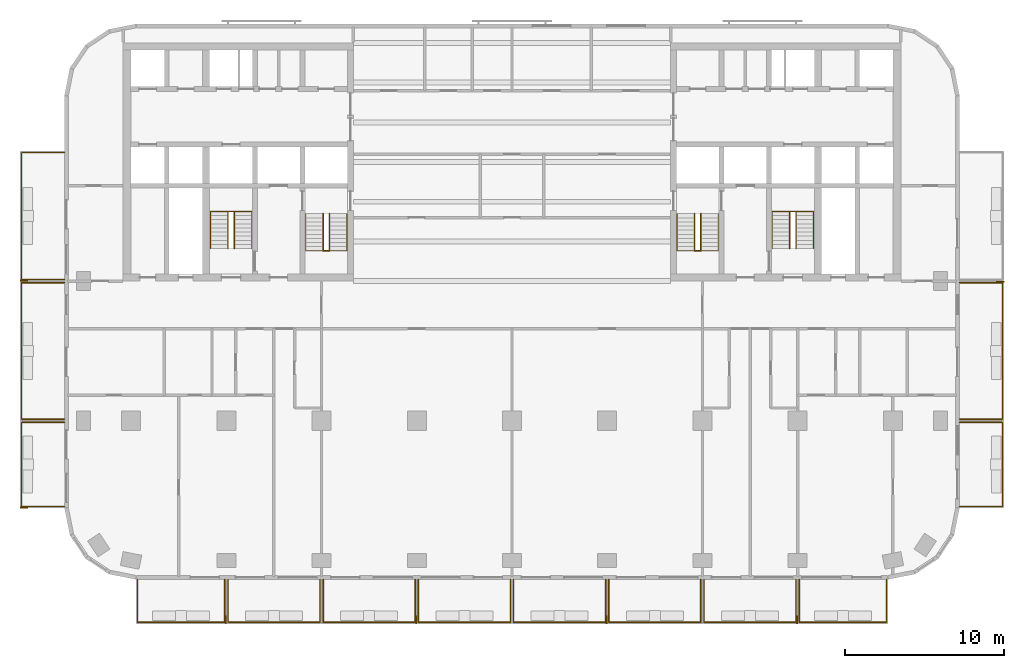
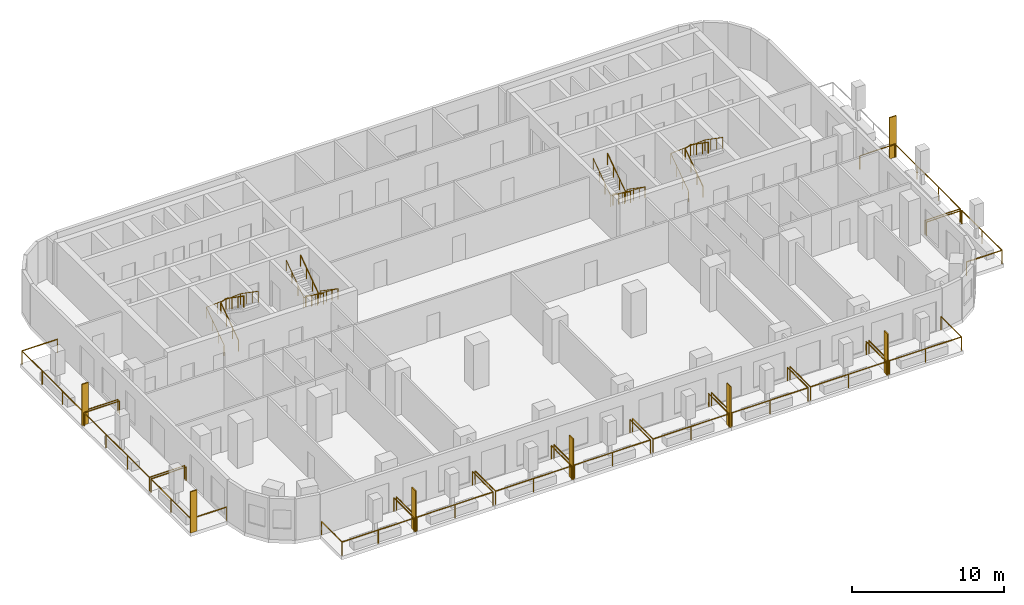
# One storey, part 9 of 11: 21 railings, 7 shading devices.
"""IFC4 building model written with IfcOpenShell, lengths in metres."""

from ifc_helpers import new_model, si_unit, direction, frame, origin, origin_2d, place, context, subcontext, project, spatial, rectangle, circle, extrude, material, layer, layer_set, type_object, element, save


model = new_model("IFC4")

# Units and contexts
model_context = context("Model", 3, precision=1e-05, world=origin(), true_north=direction((0.0, 1.0)))
body_context = subcontext(model_context, "Body", "Model", "MODEL_VIEW")
ifc_project = project(units=[si_unit("LENGTHUNIT", "METRE"), si_unit("AREAUNIT", "SQUARE_METRE"), si_unit("VOLUMEUNIT", "CUBIC_METRE"), si_unit("PLANEANGLEUNIT", "RADIAN"), si_unit("MASSUNIT", "GRAM", prefix="KILO")], contexts=[model_context])

# Site, building, storey
site_placement = place(None, origin())
site = spatial("IfcSite", under=ifc_project, at=site_placement, CompositionType="ELEMENT")
building_placement = place(site_placement, origin())
building = spatial("IfcBuilding", under=site, at=building_placement, Name="Torana Hotel and Residences", CompositionType="ELEMENT")
storey_placement = place(building_placement, frame((0.0, 0.0, 127.199951171875)))
storey = spatial("IfcBuildingStorey", under=building, at=storey_placement, Name="L32", CompositionType="ELEMENT", Elevation=127.199951171875)

# Shading devices
ifc_material_1 = material(Name="Black powder coated aluminium", Category="aluminium")
ifc_layer = layer(ifc_material_1, 0.080078125)
ifc_layer_set = layer_set([ifc_layer], Name="FN1 VERTICAL FIN 500x80")
shading_device_type = type_object("IfcShadingDeviceType", Name="FN1 VERTICAL FIN 500x80", PredefinedType="USERDEFINED", material=ifc_layer_set)
for number, where, z_axis, x_axis, name in (
    (1, (-18.0400390625, -36.35009765625, 0.0), (0.0, 0.0, 1.0), (-1.0, 0.0, 0.0), "Fin 01"),
    (2, (-6.0400390625, -36.35009765625, 0.0), (0.0, 0.0, 1.0), (-1.0, 0.0, 0.0), "Fin 03"),
    (3, (5.9599609375, -36.35009765625, 0.0), (0.0, 0.0, 1.0), (-1.0, 0.0, 0.0), "Fin 05"),
    (4, (17.9599609375, -36.35009765625, 0.0), (0.0, 0.0, 1.0), (-1.0, 0.0, 0.0), "Fin 07"),
    (5, (-30.75, -29.260009765625, 0.0), (0.0, 0.0, 1.0), (0.0, 1.0, 0.0), "Fin 09"),
    (6, (-30.75, -14.9599609375, 0.0), (0.0, 0.0, 1.0), (0.0, 1.0, 0.0), "Fin 11"),
    (7, (30.75, -15.0400390625, 0.0), (0.0, 0.0, 1.0), (0.0, -1.0, 0.0), "Fin 13"),
):
    element("IfcShadingDevice", number, at=place(storey_placement, frame(where, z_axis=z_axis, x_axis=x_axis)), inside=storey, type_object=shading_device_type, Name=name, ObjectType="FIN", PredefinedType="USERDEFINED", context=body_context, shape_type="SweptSolid", body=[
        extrude(rectangle(XDim=0.080078125, YDim=0.5, at=origin_2d()), origin(), (0.0, 0.0, 1.0), 3.320068359375),
    ])

# Railings
ifc_material_2 = material(Name="Laminated glass balustrade with black handrail", Category="glass")
railing_type_1 = type_object("IfcRailingType", Name="GR1 BALCONY GUARD 1100 GLASS", PredefinedType="GUARDRAIL", material=ifc_material_2)
railing_1_placement = place(storey_placement, frame((-18.10009765625, -33.800048828125, 0.0)))
element("IfcRailing", 8, at=railing_1_placement, inside=storey, type_object=railing_type_1, Name="Balcony guard 01", PredefinedType="GUARDRAIL", context=body_context, shape_type="SweptSolid", body=[
    extrude(circle(Radius=0.02392578125, at=origin_2d()), frame((0.0, 0.0, 1.076171875), z_axis=(0.0, -1.0, 0.0), x_axis=(1.0, 0.0, 0.0)), (0.0, 0.0, 1.0), 2.699951171875),
    extrude(circle(Radius=0.02392578125, at=origin_2d()), frame((0.0, -2.699951171875, 1.076171875), z_axis=(-1.0, 0.0, 0.0), x_axis=(0.0, -1.0, 0.0)), (0.0, 0.0, 1.0), 5.5),
    extrude(circle(Radius=0.02392578125, at=origin_2d()), frame((-5.5, -2.699951171875, 1.076171875), z_axis=(0.0, 1.0, 0.0), x_axis=(-1.0, 0.0, 0.0)), (0.0, 0.0, 1.0), 2.699951171875),
    extrude(circle(Radius=0.02099609375, at=origin_2d()), origin(), (0.0, 0.0, 1.0), 1.052001953125),
    extrude(circle(Radius=0.02099609375, at=origin_2d()), frame((0.0, -2.699951171875, 0.0)), (0.0, 0.0, 1.0), 1.052001953125),
    extrude(circle(Radius=0.02099609375, at=origin_2d()), frame((-2.75, -2.699951171875, 0.0)), (0.0, 0.0, 1.0), 1.052001953125),
    extrude(circle(Radius=0.02099609375, at=origin_2d()), frame((-5.5, -2.699951171875, 0.0)), (0.0, 0.0, 1.0), 1.052001953125),
    extrude(circle(Radius=0.02099609375, at=origin_2d()), frame((-5.5, 0.0, 0.0)), (0.0, 0.0, 1.0), 1.052001953125),
])
for number, where, name in (
    (9, (-12.10009765625, -33.800048828125, 0.0), "Balcony guard 02"),
    (10, (-6.10009765625, -33.800048828125, 0.0), "Balcony guard 03"),
    (11, (-0.10009765625, -33.800048828125, 0.0), "Balcony guard 04"),
    (12, (5.89990234375, -33.800048828125, 0.0), "Balcony guard 05"),
    (13, (11.89990234375, -33.800048828125, 0.0), "Balcony guard 06"),
    (14, (17.89990234375, -33.800048828125, 0.0), "Balcony guard 07"),
):
    element("IfcRailing", number, at=place(storey_placement, frame(where)), inside=storey, type_object=railing_type_1, Name=name, PredefinedType="GUARDRAIL", context=body_context, shape_type="SweptSolid", body=[
        extrude(circle(Radius=0.02392578125, at=origin_2d()), frame((0.0, 0.0, 1.076171875), z_axis=(0.0, -1.0, 0.0), x_axis=(1.0, 0.0, 0.0)), (0.0, 0.0, 1.0), 2.699951171875),
        extrude(circle(Radius=0.02392578125, at=origin_2d()), frame((0.0, -2.699951171875, 1.076171875), z_axis=(-1.0, 0.0, 0.0), x_axis=(0.0, -1.0, 0.0)), (0.0, 0.0, 1.0), 5.7998046875),
        extrude(circle(Radius=0.02392578125, at=origin_2d()), frame((-5.7998046875, -2.699951171875, 1.076171875), z_axis=(0.0, 1.0, 0.0), x_axis=(-1.0, 0.0, 0.0)), (0.0, 0.0, 1.0), 2.699951171875),
        extrude(circle(Radius=0.02099609375, at=origin_2d()), origin(), (0.0, 0.0, 1.0), 1.052001953125),
        extrude(circle(Radius=0.02099609375, at=origin_2d()), frame((0.0, -2.699951171875, 0.0)), (0.0, 0.0, 1.0), 1.052001953125),
        extrude(circle(Radius=0.02099609375, at=origin_2d()), frame((-2.89990234375, -2.699951171875, 0.0)), (0.0, 0.0, 1.0), 1.052001953125),
        extrude(circle(Radius=0.02099609375, at=origin_2d()), frame((-5.7998046875, -2.699951171875, 0.0)), (0.0, 0.0, 1.0), 1.052001953125),
        extrude(circle(Radius=0.02099609375, at=origin_2d()), frame((-5.7998046875, 0.0, 0.0)), (0.0, 0.0, 1.0), 1.052001953125),
    ])
railing_2_placement = place(storey_placement, frame((23.60009765625, -33.800048828125, 0.0)))
element("IfcRailing", 15, at=railing_2_placement, inside=storey, type_object=railing_type_1, Name="Balcony guard 08", PredefinedType="GUARDRAIL", context=body_context, shape_type="SweptSolid", body=[
    extrude(circle(Radius=0.02392578125, at=origin_2d()), frame((0.0, 0.0, 1.076171875), z_axis=(0.0, -1.0, 0.0), x_axis=(1.0, 0.0, 0.0)), (0.0, 0.0, 1.0), 2.699951171875),
    extrude(circle(Radius=0.02392578125, at=origin_2d()), frame((0.0, -2.699951171875, 1.076171875), z_axis=(-1.0, 0.0, 0.0), x_axis=(0.0, -1.0, 0.0)), (0.0, 0.0, 1.0), 5.5),
    extrude(circle(Radius=0.02392578125, at=origin_2d()), frame((-5.5, -2.699951171875, 1.076171875), z_axis=(0.0, 1.0, 0.0), x_axis=(-1.0, 0.0, 0.0)), (0.0, 0.0, 1.0), 2.699951171875),
    extrude(circle(Radius=0.02099609375, at=origin_2d()), origin(), (0.0, 0.0, 1.0), 1.052001953125),
    extrude(circle(Radius=0.02099609375, at=origin_2d()), frame((0.0, -2.699951171875, 0.0)), (0.0, 0.0, 1.0), 1.052001953125),
    extrude(circle(Radius=0.02099609375, at=origin_2d()), frame((-2.75, -2.699951171875, 0.0)), (0.0, 0.0, 1.0), 1.052001953125),
    extrude(circle(Radius=0.02099609375, at=origin_2d()), frame((-5.5, -2.699951171875, 0.0)), (0.0, 0.0, 1.0), 1.052001953125),
    extrude(circle(Radius=0.02099609375, at=origin_2d()), frame((-5.5, 0.0, 0.0)), (0.0, 0.0, 1.0), 1.052001953125),
])
railing_3_placement = place(storey_placement, frame((-28.199951171875, -29.199951171875, 0.0)))
element("IfcRailing", 16, at=railing_3_placement, inside=storey, type_object=railing_type_1, Name="Balcony guard 09", PredefinedType="GUARDRAIL", context=body_context, shape_type="SweptSolid", body=[
    extrude(circle(Radius=0.02392578125, at=origin_2d()), frame((0.0, 0.0, 1.076171875), z_axis=(-1.0, 0.0, 0.0), x_axis=(0.0, -1.0, 0.0)), (0.0, 0.0, 1.0), 2.699951171875),
    extrude(circle(Radius=0.02392578125, at=origin_2d()), frame((-2.699951171875, 0.0, 1.076171875), z_axis=(0.0, 1.0, 0.0), x_axis=(-1.0, 0.0, 0.0)), (0.0, 0.0, 1.0), 5.300048828125),
    extrude(circle(Radius=0.02392578125, at=origin_2d()), frame((-2.699951171875, 5.300048828125, 1.076171875), z_axis=(1.0, 0.0, 0.0), x_axis=(0.0, 1.0, 0.0)), (0.0, 0.0, 1.0), 2.699951171875),
    extrude(circle(Radius=0.02099609375, at=origin_2d()), origin(), (0.0, 0.0, 1.0), 1.052001953125),
    extrude(circle(Radius=0.02099609375, at=origin_2d()), frame((-2.699951171875, 0.0, 0.0)), (0.0, 0.0, 1.0), 1.052001953125),
    extrude(circle(Radius=0.02099609375, at=origin_2d()), frame((-2.699951171875, 2.64990234375, 0.0)), (0.0, 0.0, 1.0), 1.052001953125),
    extrude(circle(Radius=0.02099609375, at=origin_2d()), frame((-2.699951171875, 5.300048828125, 0.0)), (0.0, 0.0, 1.0), 1.052001953125),
    extrude(circle(Radius=0.02099609375, at=origin_2d()), frame((0.0, 5.300048828125, 0.0)), (0.0, 0.0, 1.0), 1.052001953125),
])
railing_4_placement = place(storey_placement, frame((-28.199951171875, -23.699951171875, 0.0)))
element("IfcRailing", 17, at=railing_4_placement, inside=storey, type_object=railing_type_1, Name="Balcony guard 10", PredefinedType="GUARDRAIL", context=body_context, shape_type="SweptSolid", body=[
    extrude(circle(Radius=0.02392578125, at=origin_2d()), frame((0.0, 0.0, 1.076171875), z_axis=(-1.0, 0.0, 0.0), x_axis=(0.0, -1.0, 0.0)), (0.0, 0.0, 1.0), 2.699951171875),
    extrude(circle(Radius=0.02392578125, at=origin_2d()), frame((-2.699951171875, 0.0, 1.076171875), z_axis=(0.0, 1.0, 0.0), x_axis=(-1.0, 0.0, 0.0)), (0.0, 0.0, 1.0), 8.599853515625),
    extrude(circle(Radius=0.02392578125, at=origin_2d()), frame((-2.699951171875, 8.599853515625, 1.076171875), z_axis=(1.0, 0.0, 0.0), x_axis=(0.0, 1.0, 0.0)), (0.0, 0.0, 1.0), 2.699951171875),
    extrude(circle(Radius=0.02099609375, at=origin_2d()), origin(), (0.0, 0.0, 1.0), 1.052001953125),
    extrude(circle(Radius=0.02099609375, at=origin_2d()), frame((-2.699951171875, 0.0, 0.0)), (0.0, 0.0, 1.0), 1.052001953125),
    extrude(circle(Radius=0.02099609375, at=origin_2d()), frame((-2.699951171875, 2.86669921875, 0.0)), (0.0, 0.0, 1.0), 1.052001953125),
    extrude(circle(Radius=0.02099609375, at=origin_2d()), frame((-2.699951171875, 5.733154296875, 0.0)), (0.0, 0.0, 1.0), 1.052001953125),
    extrude(circle(Radius=0.02099609375, at=origin_2d()), frame((-2.699951171875, 8.599853515625, 0.0)), (0.0, 0.0, 1.0), 1.052001953125),
    extrude(circle(Radius=0.02099609375, at=origin_2d()), frame((0.0, 8.599853515625, 0.0)), (0.0, 0.0, 1.0), 1.052001953125),
])
railing_5_placement = place(storey_placement, frame((-28.199951171875, -14.89990234375, 0.0)))
element("IfcRailing", 18, at=railing_5_placement, inside=storey, type_object=railing_type_1, Name="Balcony guard 11", PredefinedType="GUARDRAIL", context=body_context, shape_type="SweptSolid", body=[
    extrude(circle(Radius=0.02392578125, at=origin_2d()), frame((0.0, 0.0, 1.076171875), z_axis=(-1.0, 0.0, 0.0), x_axis=(0.0, -1.0, 0.0)), (0.0, 0.0, 1.0), 2.699951171875),
    extrude(circle(Radius=0.02392578125, at=origin_2d()), frame((-2.699951171875, 0.0, 1.076171875), z_axis=(0.0, 1.0, 0.0), x_axis=(-1.0, 0.0, 0.0)), (0.0, 0.0, 1.0), 8.0),
    extrude(circle(Radius=0.02392578125, at=origin_2d()), frame((-2.699951171875, 8.0, 1.076171875), z_axis=(1.0, 0.0, 0.0), x_axis=(0.0, 1.0, 0.0)), (0.0, 0.0, 1.0), 2.699951171875),
    extrude(circle(Radius=0.02099609375, at=origin_2d()), origin(), (0.0, 0.0, 1.0), 1.052001953125),
    extrude(circle(Radius=0.02099609375, at=origin_2d()), frame((-2.699951171875, 0.0, 0.0)), (0.0, 0.0, 1.0), 1.052001953125),
    extrude(circle(Radius=0.02099609375, at=origin_2d()), frame((-2.699951171875, 2.666748046875, 0.0)), (0.0, 0.0, 1.0), 1.052001953125),
    extrude(circle(Radius=0.02099609375, at=origin_2d()), frame((-2.699951171875, 5.333251953125, 0.0)), (0.0, 0.0, 1.0), 1.052001953125),
    extrude(circle(Radius=0.02099609375, at=origin_2d()), frame((-2.699951171875, 8.0, 0.0)), (0.0, 0.0, 1.0), 1.052001953125),
    extrude(circle(Radius=0.02099609375, at=origin_2d()), frame((0.0, 8.0, 0.0)), (0.0, 0.0, 1.0), 1.052001953125),
])
railing_6_placement = place(storey_placement, frame((28.199951171875, -23.89990234375, 0.0)))
element("IfcRailing", 19, at=railing_6_placement, inside=storey, type_object=railing_type_1, Name="Balcony guard 12", PredefinedType="GUARDRAIL", context=body_context, shape_type="SweptSolid", body=[
    extrude(circle(Radius=0.02392578125, at=origin_2d()), frame((0.0, 0.0, 1.076171875), z_axis=(1.0, 0.0, 0.0), x_axis=(0.0, 1.0, 0.0)), (0.0, 0.0, 1.0), 2.699951171875),
    extrude(circle(Radius=0.02392578125, at=origin_2d()), frame((2.699951171875, 0.0, 1.076171875), z_axis=(0.0, -1.0, 0.0), x_axis=(1.0, 0.0, 0.0)), (0.0, 0.0, 1.0), 5.300048828125),
    extrude(circle(Radius=0.02392578125, at=origin_2d()), frame((2.699951171875, -5.300048828125, 1.076171875), z_axis=(-1.0, 0.0, 0.0), x_axis=(0.0, -1.0, 0.0)), (0.0, 0.0, 1.0), 2.699951171875),
    extrude(circle(Radius=0.02099609375, at=origin_2d()), origin(), (0.0, 0.0, 1.0), 1.052001953125),
    extrude(circle(Radius=0.02099609375, at=origin_2d()), frame((2.699951171875, 0.0, 0.0)), (0.0, 0.0, 1.0), 1.052001953125),
    extrude(circle(Radius=0.02099609375, at=origin_2d()), frame((2.699951171875, -2.64990234375, 0.0)), (0.0, 0.0, 1.0), 1.052001953125),
    extrude(circle(Radius=0.02099609375, at=origin_2d()), frame((2.699951171875, -5.300048828125, 0.0)), (0.0, 0.0, 1.0), 1.052001953125),
    extrude(circle(Radius=0.02099609375, at=origin_2d()), frame((0.0, -5.300048828125, 0.0)), (0.0, 0.0, 1.0), 1.052001953125),
])
railing_7_placement = place(storey_placement, frame((28.199951171875, -15.10009765625, 0.0)))
element("IfcRailing", 20, at=railing_7_placement, inside=storey, type_object=railing_type_1, Name="Balcony guard 13", PredefinedType="GUARDRAIL", context=body_context, shape_type="SweptSolid", body=[
    extrude(circle(Radius=0.02392578125, at=origin_2d()), frame((0.0, 0.0, 1.076171875), z_axis=(1.0, 0.0, 0.0), x_axis=(0.0, 1.0, 0.0)), (0.0, 0.0, 1.0), 2.699951171875),
    extrude(circle(Radius=0.02392578125, at=origin_2d()), frame((2.699951171875, 0.0, 1.076171875), z_axis=(0.0, -1.0, 0.0), x_axis=(1.0, 0.0, 0.0)), (0.0, 0.0, 1.0), 8.599853515625),
    extrude(circle(Radius=0.02392578125, at=origin_2d()), frame((2.699951171875, -8.599853515625, 1.076171875), z_axis=(-1.0, 0.0, 0.0), x_axis=(0.0, -1.0, 0.0)), (0.0, 0.0, 1.0), 2.699951171875),
    extrude(circle(Radius=0.02099609375, at=origin_2d()), origin(), (0.0, 0.0, 1.0), 1.052001953125),
    extrude(circle(Radius=0.02099609375, at=origin_2d()), frame((2.699951171875, 0.0, 0.0)), (0.0, 0.0, 1.0), 1.052001953125),
    extrude(circle(Radius=0.02099609375, at=origin_2d()), frame((2.699951171875, -2.86669921875, 0.0)), (0.0, 0.0, 1.0), 1.052001953125),
    extrude(circle(Radius=0.02099609375, at=origin_2d()), frame((2.699951171875, -5.733154296875, 0.0)), (0.0, 0.0, 1.0), 1.052001953125),
    extrude(circle(Radius=0.02099609375, at=origin_2d()), frame((2.699951171875, -8.599853515625, 0.0)), (0.0, 0.0, 1.0), 1.052001953125),
    extrude(circle(Radius=0.02099609375, at=origin_2d()), frame((0.0, -8.599853515625, 0.0)), (0.0, 0.0, 1.0), 1.052001953125),
])
ifc_material_3 = material(Name="Stainless steel 316", Category="steel")
railing_type_2 = type_object("IfcRailingType", Name="STAIR HANDRAIL HR1 900", PredefinedType="HANDRAIL", material=ifc_material_3)
railing_8_placement = place(storey_placement, frame((-10.39990234375, -10.75, 0.179931640625)))
element("IfcRailing", 21, at=railing_8_placement, inside=storey, type_object=railing_type_2, Name="Handrail ST1 L32 O1", PredefinedType="HANDRAIL", context=body_context, shape_type="SweptSolid", body=[
    extrude(circle(Radius=0.02392578125, at=origin_2d()), frame((0.0, 0.0, 0.8759765625), z_axis=(0.0, -0.822182927502, 0.569223360136), x_axis=(1.0, 0.0, 0.0)), (0.0, 0.0, 1.0), 2.84619140625),
    extrude(circle(Radius=0.02392578125, at=origin_2d()), frame((0.0, -2.340087890625, 2.49609375), z_axis=(-0.997614115953, 0.0, 0.069036770278), x_axis=(0.0, -1.0, 0.0)), (0.0, 0.0, 1.0), 2.606201171875),
    extrude(circle(Radius=0.02392578125, at=origin_2d()), frame((-2.60009765625, -2.340087890625, 2.67578125), z_axis=(0.0, 0.822182927502, 0.569223360136), x_axis=(-1.0, 0.0, 0.0)), (0.0, 0.0, 1.0), 2.84619140625),
    extrude(circle(Radius=0.02099609375, at=origin_2d()), origin(), (0.0, 0.0, 1.0), 0.851806640625),
    extrude(circle(Radius=0.02099609375, at=origin_2d()), frame((0.0, -0.780029296875, 0.5400390625)), (0.0, 0.0, 1.0), 0.851806640625),
    extrude(circle(Radius=0.02099609375, at=origin_2d()), frame((0.0, -1.56005859375, 1.080078125)), (0.0, 0.0, 1.0), 0.851806640625),
    extrude(circle(Radius=0.02099609375, at=origin_2d()), frame((0.0, -2.340087890625, 1.6201171875)), (0.0, 0.0, 1.0), 0.851806640625),
    extrude(circle(Radius=0.02099609375, at=origin_2d()), frame((-0.86669921875, -2.340087890625, 1.68017578125)), (0.0, 0.0, 1.0), 0.851806640625),
    extrude(circle(Radius=0.02099609375, at=origin_2d()), frame((-1.7333984375, -2.340087890625, 1.739990234375)), (0.0, 0.0, 1.0), 0.851806640625),
    extrude(circle(Radius=0.02099609375, at=origin_2d()), frame((-2.60009765625, -2.340087890625, 1.800048828125)), (0.0, 0.0, 1.0), 0.851806640625),
    extrude(circle(Radius=0.02099609375, at=origin_2d()), frame((-2.60009765625, -1.56005859375, 2.340087890625)), (0.0, 0.0, 1.0), 0.851806640625),
    extrude(circle(Radius=0.02099609375, at=origin_2d()), frame((-2.60009765625, -0.780029296875, 2.880126953125)), (0.0, 0.0, 1.0), 0.851806640625),
    extrude(circle(Radius=0.02099609375, at=origin_2d()), frame((-2.60009765625, 0.0, 3.420166015625)), (0.0, 0.0, 1.0), 0.851806640625),
])
railing_9_placement = place(storey_placement, frame((-11.5, -10.75, 0.179931640625)))
element("IfcRailing", 22, at=railing_9_placement, inside=storey, type_object=railing_type_2, Name="Handrail ST1 L32 I1", PredefinedType="HANDRAIL", context=body_context, shape_type="SweptSolid", body=[
    extrude(circle(Radius=0.02392578125, at=origin_2d()), frame((0.0, 0.0, 0.8759765625), z_axis=(0.0, -0.822182927502, 0.569223360136), x_axis=(1.0, 0.0, 0.0)), (0.0, 0.0, 1.0), 2.84619140625),
    extrude(circle(Radius=0.02392578125, at=origin_2d()), frame((0.0, -2.340087890625, 2.49609375), z_axis=(-0.911942338396, 0.0, 0.410318378143), x_axis=(0.0, -1.0, 0.0)), (0.0, 0.0, 1.0), 0.4384765625),
    extrude(circle(Radius=0.02392578125, at=origin_2d()), frame((-0.39990234375, -2.340087890625, 2.67578125), z_axis=(0.0, 0.822182927502, 0.569223360136), x_axis=(-1.0, 0.0, 0.0)), (0.0, 0.0, 1.0), 2.84619140625),
    extrude(circle(Radius=0.02099609375, at=origin_2d()), origin(), (0.0, 0.0, 1.0), 0.851806640625),
    extrude(circle(Radius=0.02099609375, at=origin_2d()), frame((0.0, -0.780029296875, 0.5400390625)), (0.0, 0.0, 1.0), 0.851806640625),
    extrude(circle(Radius=0.02099609375, at=origin_2d()), frame((0.0, -1.56005859375, 1.080078125)), (0.0, 0.0, 1.0), 0.851806640625),
    extrude(circle(Radius=0.02099609375, at=origin_2d()), frame((0.0, -2.340087890625, 1.6201171875)), (0.0, 0.0, 1.0), 0.851806640625),
    extrude(circle(Radius=0.02099609375, at=origin_2d()), frame((-0.39990234375, -2.340087890625, 1.800048828125)), (0.0, 0.0, 1.0), 0.851806640625),
    extrude(circle(Radius=0.02099609375, at=origin_2d()), frame((-0.39990234375, -1.56005859375, 2.340087890625)), (0.0, 0.0, 1.0), 0.851806640625),
    extrude(circle(Radius=0.02099609375, at=origin_2d()), frame((-0.39990234375, -0.780029296875, 2.880126953125)), (0.0, 0.0, 1.0), 0.851806640625),
    extrude(circle(Radius=0.02099609375, at=origin_2d()), frame((-0.39990234375, 0.0, 3.420166015625)), (0.0, 0.0, 1.0), 0.851806640625),
])
railing_10_placement = place(storey_placement, frame((-19.0, -12.949951171875, 0.179931640625)))
element("IfcRailing", 23, at=railing_10_placement, inside=storey, type_object=railing_type_2, Name="Handrail ST2 L32 O1", PredefinedType="HANDRAIL", context=body_context, shape_type="SweptSolid", body=[
    extrude(circle(Radius=0.02392578125, at=origin_2d()), frame((0.0, 0.0, 0.8759765625), z_axis=(0.0, 0.822155131156, 0.569263506923), x_axis=(-1.0, 0.0, 0.0)), (0.0, 0.0, 1.0), 2.845947265625),
    extrude(circle(Radius=0.02392578125, at=origin_2d()), frame((0.0, 2.33984375, 2.49609375), z_axis=(0.997614115953, 0.0, 0.069036770278), x_axis=(0.0, 1.0, 0.0)), (0.0, 0.0, 1.0), 2.606201171875),
    extrude(circle(Radius=0.02392578125, at=origin_2d()), frame((2.60009765625, 2.33984375, 2.67578125), z_axis=(0.0, -0.822155131156, 0.569263506923), x_axis=(1.0, 0.0, 0.0)), (0.0, 0.0, 1.0), 2.845947265625),
    extrude(circle(Radius=0.02099609375, at=origin_2d()), origin(), (0.0, 0.0, 1.0), 0.851806640625),
    extrude(circle(Radius=0.02099609375, at=origin_2d()), frame((0.0, 0.780029296875, 0.5400390625)), (0.0, 0.0, 1.0), 0.851806640625),
    extrude(circle(Radius=0.02099609375, at=origin_2d()), frame((0.0, 1.559814453125, 1.080078125)), (0.0, 0.0, 1.0), 0.851806640625),
    extrude(circle(Radius=0.02099609375, at=origin_2d()), frame((0.0, 2.33984375, 1.6201171875)), (0.0, 0.0, 1.0), 0.851806640625),
    extrude(circle(Radius=0.02099609375, at=origin_2d()), frame((0.86669921875, 2.33984375, 1.68017578125)), (0.0, 0.0, 1.0), 0.851806640625),
    extrude(circle(Radius=0.02099609375, at=origin_2d()), frame((1.7333984375, 2.33984375, 1.739990234375)), (0.0, 0.0, 1.0), 0.851806640625),
    extrude(circle(Radius=0.02099609375, at=origin_2d()), frame((2.60009765625, 2.33984375, 1.800048828125)), (0.0, 0.0, 1.0), 0.851806640625),
    extrude(circle(Radius=0.02099609375, at=origin_2d()), frame((2.60009765625, 1.559814453125, 2.340087890625)), (0.0, 0.0, 1.0), 0.851806640625),
    extrude(circle(Radius=0.02099609375, at=origin_2d()), frame((2.60009765625, 0.780029296875, 2.880126953125)), (0.0, 0.0, 1.0), 0.851806640625),
    extrude(circle(Radius=0.02099609375, at=origin_2d()), frame((2.60009765625, 0.0, 3.420166015625)), (0.0, 0.0, 1.0), 0.851806640625),
])
railing_11_placement = place(storey_placement, frame((-17.89990234375, -12.949951171875, 0.179931640625)))
element("IfcRailing", 24, at=railing_11_placement, inside=storey, type_object=railing_type_2, Name="Handrail ST2 L32 I1", PredefinedType="HANDRAIL", context=body_context, shape_type="SweptSolid", body=[
    extrude(circle(Radius=0.02392578125, at=origin_2d()), frame((0.0, 0.0, 0.8759765625), z_axis=(0.0, 0.822155131156, 0.569263506923), x_axis=(-1.0, 0.0, 0.0)), (0.0, 0.0, 1.0), 2.845947265625),
    extrude(circle(Radius=0.02392578125, at=origin_2d()), frame((0.0, 2.33984375, 2.49609375), z_axis=(0.911942338396, 0.0, 0.410318378143), x_axis=(0.0, 1.0, 0.0)), (0.0, 0.0, 1.0), 0.4384765625),
    extrude(circle(Radius=0.02392578125, at=origin_2d()), frame((0.39990234375, 2.33984375, 2.67578125), z_axis=(0.0, -0.822155131156, 0.569263506923), x_axis=(1.0, 0.0, 0.0)), (0.0, 0.0, 1.0), 2.845947265625),
    extrude(circle(Radius=0.02099609375, at=origin_2d()), origin(), (0.0, 0.0, 1.0), 0.851806640625),
    extrude(circle(Radius=0.02099609375, at=origin_2d()), frame((0.0, 0.780029296875, 0.5400390625)), (0.0, 0.0, 1.0), 0.851806640625),
    extrude(circle(Radius=0.02099609375, at=origin_2d()), frame((0.0, 1.559814453125, 1.080078125)), (0.0, 0.0, 1.0), 0.851806640625),
    extrude(circle(Radius=0.02099609375, at=origin_2d()), frame((0.0, 2.33984375, 1.6201171875)), (0.0, 0.0, 1.0), 0.851806640625),
    extrude(circle(Radius=0.02099609375, at=origin_2d()), frame((0.39990234375, 2.33984375, 1.800048828125)), (0.0, 0.0, 1.0), 0.851806640625),
    extrude(circle(Radius=0.02099609375, at=origin_2d()), frame((0.39990234375, 1.559814453125, 2.340087890625)), (0.0, 0.0, 1.0), 0.851806640625),
    extrude(circle(Radius=0.02099609375, at=origin_2d()), frame((0.39990234375, 0.780029296875, 2.880126953125)), (0.0, 0.0, 1.0), 0.851806640625),
    extrude(circle(Radius=0.02099609375, at=origin_2d()), frame((0.39990234375, 0.0, 3.420166015625)), (0.0, 0.0, 1.0), 0.851806640625),
])
railing_12_placement = place(storey_placement, frame((13.0, -10.75, 0.179931640625)))
element("IfcRailing", 25, at=railing_12_placement, inside=storey, type_object=railing_type_2, Name="Handrail ST3 L32 O1", PredefinedType="HANDRAIL", context=body_context, shape_type="SweptSolid", body=[
    extrude(circle(Radius=0.02392578125, at=origin_2d()), frame((0.0, 0.0, 0.8759765625), z_axis=(0.0, -0.822182927502, 0.569223360136), x_axis=(1.0, 0.0, 0.0)), (0.0, 0.0, 1.0), 2.84619140625),
    extrude(circle(Radius=0.02392578125, at=origin_2d()), frame((0.0, -2.340087890625, 2.49609375), z_axis=(-0.997614115953, 0.0, 0.069036770278), x_axis=(0.0, -1.0, 0.0)), (0.0, 0.0, 1.0), 2.606201171875),
    extrude(circle(Radius=0.02392578125, at=origin_2d()), frame((-2.60009765625, -2.340087890625, 2.67578125), z_axis=(0.0, 0.822182927502, 0.569223360136), x_axis=(-1.0, 0.0, 0.0)), (0.0, 0.0, 1.0), 2.84619140625),
    extrude(circle(Radius=0.02099609375, at=origin_2d()), origin(), (0.0, 0.0, 1.0), 0.851806640625),
    extrude(circle(Radius=0.02099609375, at=origin_2d()), frame((0.0, -0.780029296875, 0.5400390625)), (0.0, 0.0, 1.0), 0.851806640625),
    extrude(circle(Radius=0.02099609375, at=origin_2d()), frame((0.0, -1.56005859375, 1.080078125)), (0.0, 0.0, 1.0), 0.851806640625),
    extrude(circle(Radius=0.02099609375, at=origin_2d()), frame((0.0, -2.340087890625, 1.6201171875)), (0.0, 0.0, 1.0), 0.851806640625),
    extrude(circle(Radius=0.02099609375, at=origin_2d()), frame((-0.86669921875, -2.340087890625, 1.68017578125)), (0.0, 0.0, 1.0), 0.851806640625),
    extrude(circle(Radius=0.02099609375, at=origin_2d()), frame((-1.7333984375, -2.340087890625, 1.739990234375)), (0.0, 0.0, 1.0), 0.851806640625),
    extrude(circle(Radius=0.02099609375, at=origin_2d()), frame((-2.60009765625, -2.340087890625, 1.800048828125)), (0.0, 0.0, 1.0), 0.851806640625),
    extrude(circle(Radius=0.02099609375, at=origin_2d()), frame((-2.60009765625, -1.56005859375, 2.340087890625)), (0.0, 0.0, 1.0), 0.851806640625),
    extrude(circle(Radius=0.02099609375, at=origin_2d()), frame((-2.60009765625, -0.780029296875, 2.880126953125)), (0.0, 0.0, 1.0), 0.851806640625),
    extrude(circle(Radius=0.02099609375, at=origin_2d()), frame((-2.60009765625, 0.0, 3.420166015625)), (0.0, 0.0, 1.0), 0.851806640625),
])
railing_13_placement = place(storey_placement, frame((11.89990234375, -10.75, 0.179931640625)))
element("IfcRailing", 26, at=railing_13_placement, inside=storey, type_object=railing_type_2, Name="Handrail ST3 L32 I1", PredefinedType="HANDRAIL", context=body_context, shape_type="SweptSolid", body=[
    extrude(circle(Radius=0.02392578125, at=origin_2d()), frame((0.0, 0.0, 0.8759765625), z_axis=(0.0, -0.822182927502, 0.569223360136), x_axis=(1.0, 0.0, 0.0)), (0.0, 0.0, 1.0), 2.84619140625),
    extrude(circle(Radius=0.02392578125, at=origin_2d()), frame((0.0, -2.340087890625, 2.49609375), z_axis=(-0.911942338396, 0.0, 0.410318378143), x_axis=(0.0, -1.0, 0.0)), (0.0, 0.0, 1.0), 0.4384765625),
    extrude(circle(Radius=0.02392578125, at=origin_2d()), frame((-0.39990234375, -2.340087890625, 2.67578125), z_axis=(0.0, 0.822182927502, 0.569223360136), x_axis=(-1.0, 0.0, 0.0)), (0.0, 0.0, 1.0), 2.84619140625),
    extrude(circle(Radius=0.02099609375, at=origin_2d()), origin(), (0.0, 0.0, 1.0), 0.851806640625),
    extrude(circle(Radius=0.02099609375, at=origin_2d()), frame((0.0, -0.780029296875, 0.5400390625)), (0.0, 0.0, 1.0), 0.851806640625),
    extrude(circle(Radius=0.02099609375, at=origin_2d()), frame((0.0, -1.56005859375, 1.080078125)), (0.0, 0.0, 1.0), 0.851806640625),
    extrude(circle(Radius=0.02099609375, at=origin_2d()), frame((0.0, -2.340087890625, 1.6201171875)), (0.0, 0.0, 1.0), 0.851806640625),
    extrude(circle(Radius=0.02099609375, at=origin_2d()), frame((-0.39990234375, -2.340087890625, 1.800048828125)), (0.0, 0.0, 1.0), 0.851806640625),
    extrude(circle(Radius=0.02099609375, at=origin_2d()), frame((-0.39990234375, -1.56005859375, 2.340087890625)), (0.0, 0.0, 1.0), 0.851806640625),
    extrude(circle(Radius=0.02099609375, at=origin_2d()), frame((-0.39990234375, -0.780029296875, 2.880126953125)), (0.0, 0.0, 1.0), 0.851806640625),
    extrude(circle(Radius=0.02099609375, at=origin_2d()), frame((-0.39990234375, 0.0, 3.420166015625)), (0.0, 0.0, 1.0), 0.851806640625),
])
railing_14_placement = place(storey_placement, frame((16.39990234375, -12.949951171875, 0.179931640625)))
element("IfcRailing", 27, at=railing_14_placement, inside=storey, type_object=railing_type_2, Name="Handrail ST4 L32 O1", PredefinedType="HANDRAIL", context=body_context, shape_type="SweptSolid", body=[
    extrude(circle(Radius=0.02392578125, at=origin_2d()), frame((0.0, 0.0, 0.8759765625), z_axis=(0.0, 0.822155131156, 0.569263506923), x_axis=(-1.0, 0.0, 0.0)), (0.0, 0.0, 1.0), 2.845947265625),
    extrude(circle(Radius=0.02392578125, at=origin_2d()), frame((0.0, 2.33984375, 2.49609375), z_axis=(0.997614115953, 0.0, 0.069036770278), x_axis=(0.0, 1.0, 0.0)), (0.0, 0.0, 1.0), 2.606201171875),
    extrude(circle(Radius=0.02392578125, at=origin_2d()), frame((2.60009765625, 2.33984375, 2.67578125), z_axis=(0.0, -0.822155131156, 0.569263506923), x_axis=(1.0, 0.0, 0.0)), (0.0, 0.0, 1.0), 2.845947265625),
    extrude(circle(Radius=0.02099609375, at=origin_2d()), origin(), (0.0, 0.0, 1.0), 0.851806640625),
    extrude(circle(Radius=0.02099609375, at=origin_2d()), frame((0.0, 0.780029296875, 0.5400390625)), (0.0, 0.0, 1.0), 0.851806640625),
    extrude(circle(Radius=0.02099609375, at=origin_2d()), frame((0.0, 1.559814453125, 1.080078125)), (0.0, 0.0, 1.0), 0.851806640625),
    extrude(circle(Radius=0.02099609375, at=origin_2d()), frame((0.0, 2.33984375, 1.6201171875)), (0.0, 0.0, 1.0), 0.851806640625),
    extrude(circle(Radius=0.02099609375, at=origin_2d()), frame((0.86669921875, 2.33984375, 1.68017578125)), (0.0, 0.0, 1.0), 0.851806640625),
    extrude(circle(Radius=0.02099609375, at=origin_2d()), frame((1.7333984375, 2.33984375, 1.739990234375)), (0.0, 0.0, 1.0), 0.851806640625),
    extrude(circle(Radius=0.02099609375, at=origin_2d()), frame((2.60009765625, 2.33984375, 1.800048828125)), (0.0, 0.0, 1.0), 0.851806640625),
    extrude(circle(Radius=0.02099609375, at=origin_2d()), frame((2.60009765625, 1.559814453125, 2.340087890625)), (0.0, 0.0, 1.0), 0.851806640625),
    extrude(circle(Radius=0.02099609375, at=origin_2d()), frame((2.60009765625, 0.780029296875, 2.880126953125)), (0.0, 0.0, 1.0), 0.851806640625),
    extrude(circle(Radius=0.02099609375, at=origin_2d()), frame((2.60009765625, 0.0, 3.420166015625)), (0.0, 0.0, 1.0), 0.851806640625),
])
railing_15_placement = place(storey_placement, frame((17.5, -12.949951171875, 0.179931640625)))
element("IfcRailing", 28, at=railing_15_placement, inside=storey, type_object=railing_type_2, Name="Handrail ST4 L32 I1", PredefinedType="HANDRAIL", context=body_context, shape_type="SweptSolid", body=[
    extrude(circle(Radius=0.02392578125, at=origin_2d()), frame((0.0, 0.0, 0.8759765625), z_axis=(0.0, 0.822155131156, 0.569263506923), x_axis=(-1.0, 0.0, 0.0)), (0.0, 0.0, 1.0), 2.845947265625),
    extrude(circle(Radius=0.02392578125, at=origin_2d()), frame((0.0, 2.33984375, 2.49609375), z_axis=(0.911942338396, 0.0, 0.410318378143), x_axis=(0.0, 1.0, 0.0)), (0.0, 0.0, 1.0), 0.4384765625),
    extrude(circle(Radius=0.02392578125, at=origin_2d()), frame((0.39990234375, 2.33984375, 2.67578125), z_axis=(0.0, -0.822155131156, 0.569263506923), x_axis=(1.0, 0.0, 0.0)), (0.0, 0.0, 1.0), 2.845947265625),
    extrude(circle(Radius=0.02099609375, at=origin_2d()), origin(), (0.0, 0.0, 1.0), 0.851806640625),
    extrude(circle(Radius=0.02099609375, at=origin_2d()), frame((0.0, 0.780029296875, 0.5400390625)), (0.0, 0.0, 1.0), 0.851806640625),
    extrude(circle(Radius=0.02099609375, at=origin_2d()), frame((0.0, 1.559814453125, 1.080078125)), (0.0, 0.0, 1.0), 0.851806640625),
    extrude(circle(Radius=0.02099609375, at=origin_2d()), frame((0.0, 2.33984375, 1.6201171875)), (0.0, 0.0, 1.0), 0.851806640625),
    extrude(circle(Radius=0.02099609375, at=origin_2d()), frame((0.39990234375, 2.33984375, 1.800048828125)), (0.0, 0.0, 1.0), 0.851806640625),
    extrude(circle(Radius=0.02099609375, at=origin_2d()), frame((0.39990234375, 1.559814453125, 2.340087890625)), (0.0, 0.0, 1.0), 0.851806640625),
    extrude(circle(Radius=0.02099609375, at=origin_2d()), frame((0.39990234375, 0.780029296875, 2.880126953125)), (0.0, 0.0, 1.0), 0.851806640625),
    extrude(circle(Radius=0.02099609375, at=origin_2d()), frame((0.39990234375, 0.0, 3.420166015625)), (0.0, 0.0, 1.0), 0.851806640625),
])

save(model, "model.ifc")
